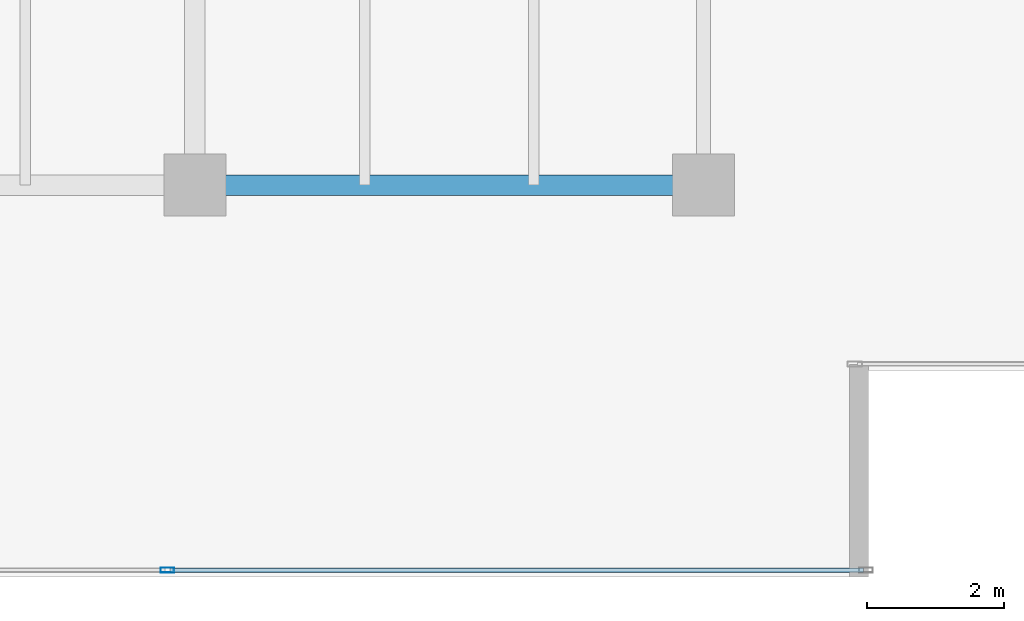
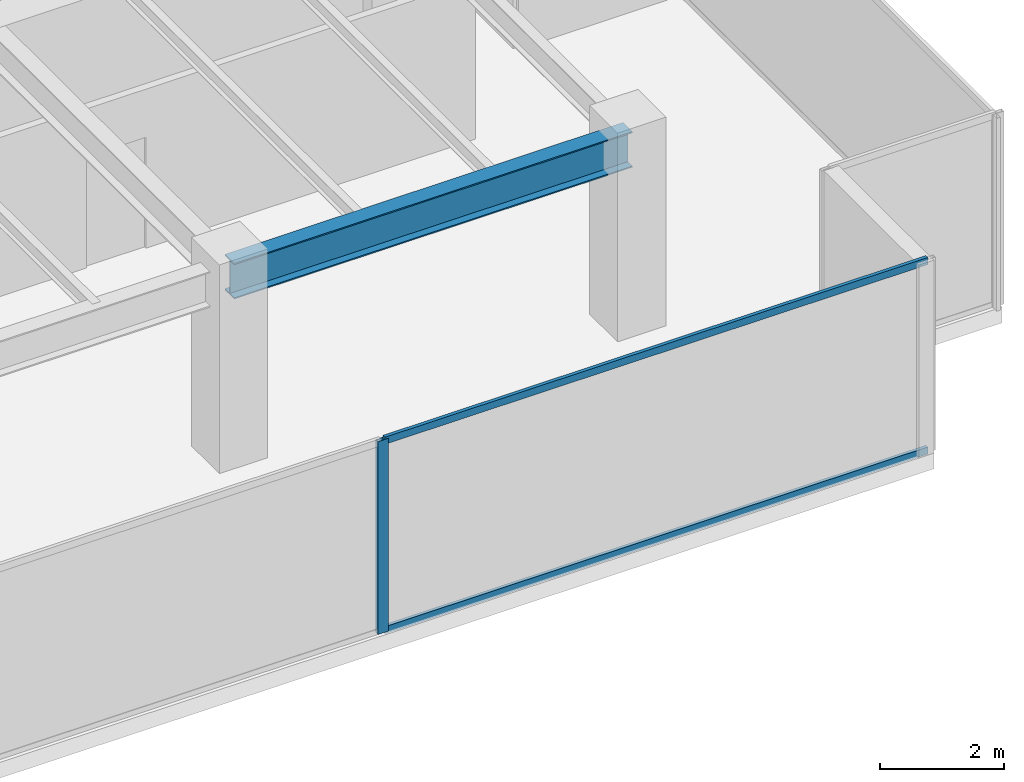
# One storey, part 12 of 30: 3 members, 1 beam, 1 element without a shape of its own.
"""IFC4 building model written with IfcOpenShell, lengths in metres."""

from ifc_helpers import new_model, si_unit, direction, frame, origin, origin_2d, place, context, subcontext, project, spatial, hollow_rectangle, i_section, extrude, source, transform, mapped, material, layer, layer_set, material_profile, profile_set, type_object, type_shapes, element, aggregate, save


model = new_model("IFC4")

# Units and contexts
model_context = context("Model", 3, precision=1e-05, world=origin(), true_north=direction((0.0, 1.0)))
body_context = subcontext(model_context, "Body", "Model", "MODEL_VIEW")
ifc_project = project(units=[si_unit("LENGTHUNIT", "METRE"), si_unit("AREAUNIT", "SQUARE_METRE"), si_unit("VOLUMEUNIT", "CUBIC_METRE"), si_unit("PLANEANGLEUNIT", "RADIAN"), si_unit("MASSUNIT", "GRAM", prefix="KILO")], contexts=[model_context])

# Site, building, storey
site_placement = place(None, origin())
site = spatial("IfcSite", under=ifc_project, at=site_placement, CompositionType="ELEMENT")
building_placement = place(site_placement, origin())
building = spatial("IfcBuilding", under=site, at=building_placement, Name="Haelvirn Gate Laboratories", CompositionType="ELEMENT")
storey_placement = place(building_placement, frame((0.0, 0.0, 121.5)))
storey = spatial("IfcBuildingStorey", under=building, at=storey_placement, Name="L29", CompositionType="ELEMENT", Elevation=121.5)

# Beam
ifc_material_1 = material(Name="Steel SM355", Category="steel")
ifc_material_profile_1 = material_profile(ifc_material_1, i_section(OverallWidth=0.300048828125, OverallDepth=0.699951171875, WebThickness=0.012939453125, FlangeThickness=0.02392578125, at=origin_2d()), Name="H-700x300x13x24")
ifc_profile_set_1 = profile_set([ifc_material_profile_1], Name="Steel SM355")
beam_type = type_object("IfcBeamType", Name="BM-G-700", PredefinedType="BEAM", material=ifc_profile_set_1)
shared_shape_1 = source(origin(), body_context, "Body", "SweptSolid", [
    extrude(i_section(OverallWidth=0.300048828125, OverallDepth=0.699951171875, WebThickness=0.012939453125, FlangeThickness=0.02392578125, at=origin_2d()), origin(), (0.0, 0.0, 1.0), 7.39990234375),
])
type_shapes(beam_type, [shared_shape_1])
beam_placement = place(storey_placement, frame((60.0, 7.0, 3.43994140625), z_axis=(1.0, 0.0, 0.0), x_axis=(0.0, 1.0, 0.0)))
element("IfcBeam", 1, at=beam_placement, inside=storey, type_object=beam_type, Name="L29 Primary Girder Y7.0 (60.0-67.4)", PredefinedType="BEAM", context=body_context, shape_type="MappedRepresentation", body=[
    mapped(shared_shape_1, transform((0.0, 0.0, 0.0), scale=1.0)),
])

# Curtain wall, members
ifc_material_2 = material(Name="Anodised bronze unitised aluminium & triple low-E glass", Category="aluminium")
ifc_layer = layer(ifc_material_2, 0.179931640625, Name="CW-SYS-3")
ifc_layer_set = layer_set([ifc_layer], Name="Anodised bronze unitised aluminium & triple low-E glass")
curtain_wall_type = type_object("IfcCurtainWallType", Name="CW-SYS-3", PredefinedType="NOTDEFINED", material=ifc_layer_set)
curtain_wall_placement = place(storey_placement, origin())
curtain_wall = element("IfcCurtainWall", 2, at=curtain_wall_placement, inside=storey, type_object=curtain_wall_type, Name="L29 Unitised Curtain Wall CW-L29-P0-E04-1", PredefinedType="NOTDEFINED")
ifc_material_3 = material(Name="Extruded aluminium 6063-T6 (anodised bronze)", Category="aluminium")
ifc_material_profile_2 = material_profile(ifc_material_3, hollow_rectangle(XDim=0.06494140625, YDim=0.139892578125, WallThickness=0.00390625, at=origin_2d()), Name="CWT-140x65x4")
ifc_profile_set_2 = profile_set([ifc_material_profile_2], Name="Extruded aluminium 6063-T6 (anodised bronze)")
member_type_1 = type_object("IfcMemberType", Name="CWT-T140", PredefinedType="USERDEFINED", material=ifc_profile_set_2)
shared_shape_2 = source(origin(), body_context, "Body", "SweptSolid", [
    extrude(hollow_rectangle(XDim=0.06494140625, YDim=0.139892578125, WallThickness=0.00390625, at=origin_2d()), origin(), (0.0, 0.0, 1.0), 10.087646484375),
])
type_shapes(member_type_1, [shared_shape_2])
member_1_placement = place(storey_placement, frame((59.637451171875, 1.39990234375, 0.032470703125), z_axis=(1.0, 0.0, 0.0), x_axis=(0.0, 1.0, 0.0)))
member_1 = element("IfcMember", 3, at=member_1_placement, type_object=member_type_1, Name="CW3 transom 2.1", ObjectType="TRANSOM", PredefinedType="USERDEFINED", context=body_context, shape_type="MappedRepresentation", body=[
    mapped(shared_shape_2, transform((0.0, 0.0, 0.0), scale=1.0)),
])
member_2_placement = place(storey_placement, frame((59.637451171875, 1.39990234375, 3.757568359375), z_axis=(1.0, 0.0, 0.0), x_axis=(0.0, 1.0, 0.0)))
member_2 = element("IfcMember", 4, at=member_2_placement, type_object=member_type_1, Name="CW3 transom 2.2", ObjectType="TRANSOM", PredefinedType="USERDEFINED", context=body_context, shape_type="MappedRepresentation", body=[
    mapped(shared_shape_2, transform((0.0, 0.0, 0.0), scale=1.0)),
])
ifc_material_profile_3 = material_profile(ifc_material_3, hollow_rectangle(XDim=0.074951171875, YDim=0.199951171875, WallThickness=0.0048828125, at=origin_2d()), Name="CWM-200x75x5")
ifc_profile_set_3 = profile_set([ifc_material_profile_3], Name="Extruded aluminium 6063-T6 (anodised bronze)")
member_type_2 = type_object("IfcMemberType", Name="CWM-T200", PredefinedType="MULLION", material=ifc_profile_set_3)
shared_shape_3 = source(origin(), body_context, "Body", "SweptSolid", [
    extrude(hollow_rectangle(XDim=0.074951171875, YDim=0.199951171875, WallThickness=0.0048828125, at=origin_2d()), origin(), (0.0, 0.0, 1.0), 3.7900390625),
])
type_shapes(member_type_2, [shared_shape_3])
member_3_placement = place(storey_placement, frame((59.60009765625, 1.39990234375, 0.0), z_axis=(0.0, 0.0, 1.0), x_axis=(0.0, 1.0, 0.0)))
member_3 = element("IfcMember", 5, at=member_3_placement, type_object=member_type_2, Name="CW3 mullion 2", PredefinedType="MULLION", context=body_context, shape_type="MappedRepresentation", body=[
    mapped(shared_shape_3, transform((0.0, 0.0, 0.0), scale=1.0)),
])
aggregate(curtain_wall, [member_3, member_1, member_2])

save(model, "model.ifc")
